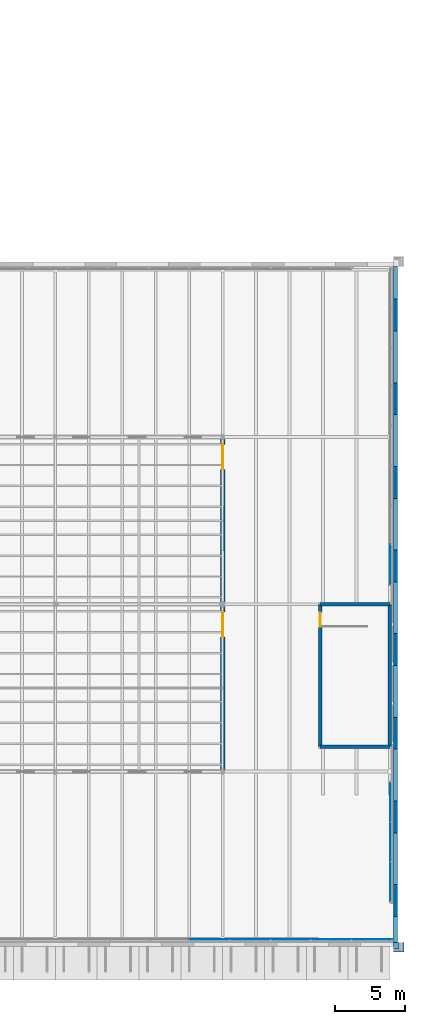
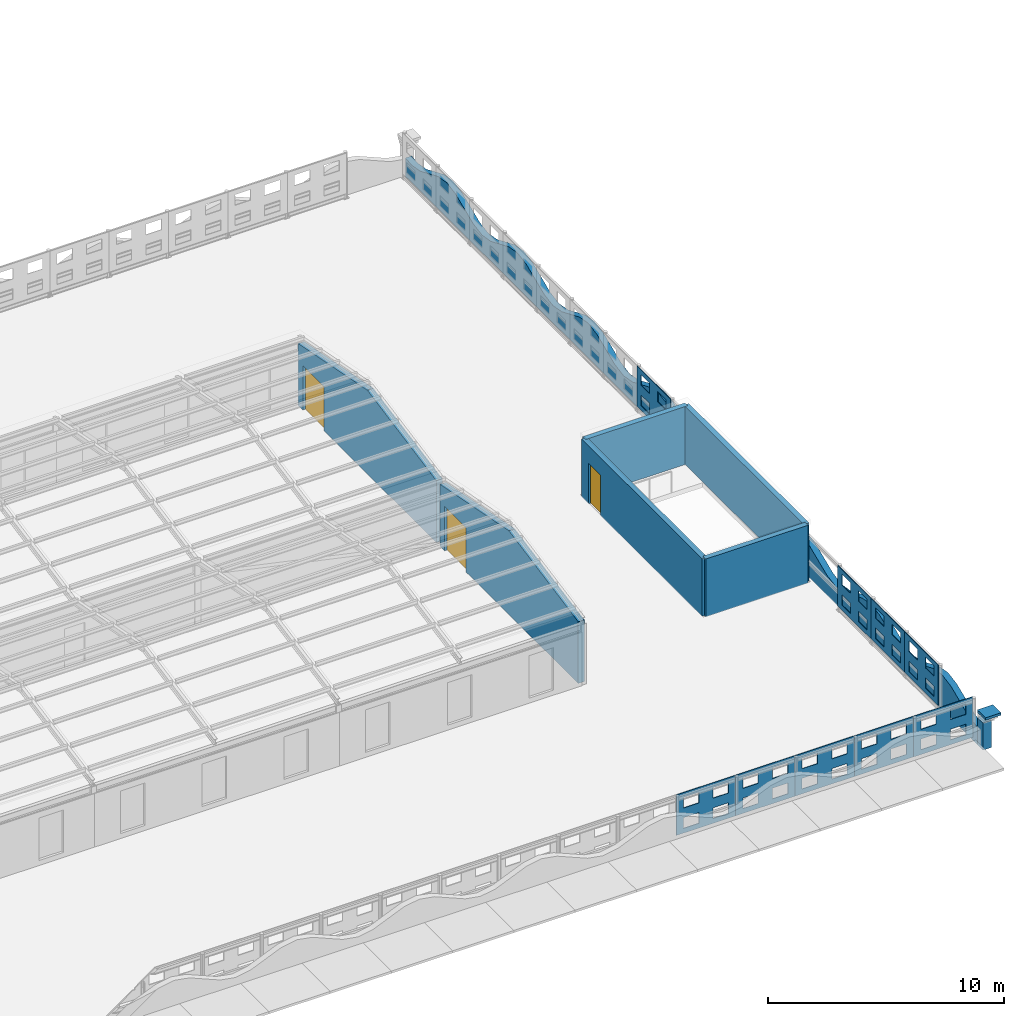
# One storey, part 63 of 91: 18 walls, 3 doors, 39 openings.
"""IFC4 building model written with IfcOpenShell, lengths in metres."""

from ifc_helpers import new_model, si_unit, direction, frame, frame_2d, origin, place, context, subcontext, project, spatial, polyline, rectangle, outline, extrude, material, layer, layer_set, type_object, element, fill, save


model = new_model("IFC4")

# Units and contexts
model_context = context("Model", 3, precision=1e-05, world=origin(), true_north=direction((0.0, 1.0)))
body_context = subcontext(model_context, "Body", "Model", "MODEL_VIEW")
ifc_project = project(units=[si_unit("LENGTHUNIT", "METRE"), si_unit("AREAUNIT", "SQUARE_METRE"), si_unit("VOLUMEUNIT", "CUBIC_METRE"), si_unit("PLANEANGLEUNIT", "RADIAN"), si_unit("MASSUNIT", "GRAM", prefix="KILO")], contexts=[model_context])

# Site, building, storey
site_placement = place(None, origin())
site = spatial("IfcSite", under=ifc_project, at=site_placement, CompositionType="ELEMENT")
building_placement = place(site_placement, origin())
building = spatial("IfcBuilding", under=site, at=building_placement, Name="Ravi Spectrum Wholesale Market", CompositionType="ELEMENT")
storey_placement = place(building_placement, frame((0.0, 0.0, 16.199951171875)))
storey = spatial("IfcBuildingStorey", under=building, at=storey_placement, Name="ROOF PLANT LEVEL", CompositionType="ELEMENT", Elevation=16.199951171875)

# Wall, opening, door
ifc_material_1 = material(Name="Clinker brickwork", Category="masonry")
ifc_layer_1 = layer(ifc_material_1, 0.300048828125)
ifc_layer_set_1 = layer_set([ifc_layer_1], Name="Clinker brickwork")
wall_type_1 = type_object("IfcWallType", Name="Brick 300 plant house", PredefinedType="SOLIDWALL", material=ifc_layer_set_1)
wall_1_placement = place(storey_placement, frame((270.0, 30.1201171875, 0.0), z_axis=(0.0, 0.0, 1.0), x_axis=(0.0, 1.0, 0.0)))
wall_1 = element("IfcWall", 1, at=wall_1_placement, inside=storey, type_object=wall_type_1, Name="CS-WL-ROOF-124", PredefinedType="SOLIDWALL", context=body_context, shape_type="SweptSolid", body=[
    extrude(outline(polyline([(0.0, 0.0), (11.72998046875, 0.0), (11.72998046875, 3.201416015625), (5.8798828125, 4.33837890625), (0.0, 3.195556640625), (0.0, 0.0)])), frame((0.0, 0.14990234375, 0.0), z_axis=(0.0, -1.0, 0.0), x_axis=(1.0, 0.0, 0.0)), (0.0, 0.0, 1.0), 0.300048828125),
])
opening_1_placement = place(wall_1_placement, frame((11.330078125, 0.0, 0.0), z_axis=(0.0, 0.0, 1.0), x_axis=(-1.0, 0.0, 0.0)))
opening_1 = element("IfcOpeningElement", 2, at=opening_1_placement, cuts=wall_1, Name="Opening D550", PredefinedType="OPENING", context=body_context, shape_type="SweptSolid", body=[
    extrude(rectangle(XDim=1.800048828125, YDim=2.300048828125, at=frame_2d((0.89990234375, 1.14990234375))), frame((0.0, 0.159912109375, 0.0), z_axis=(0.0, -1.0, 0.0), x_axis=(1.0, 0.0, 0.0)), (0.0, 0.0, 1.0), 0.320068359375),
])
ifc_material_2 = material(Name="Aluminium glazed door", Category="aluminium")
door_type_1 = type_object("IfcDoorType", Name="Deck door 1800 x 2300", OperationType="DOUBLE_DOOR_SINGLE_SWING", PredefinedType="DOOR", material=ifc_material_2)
door_1_placement = place(opening_1_placement, origin())
door_1 = element("IfcDoor", 3, at=door_1_placement, inside=storey, type_object=door_type_1, Name="Exit door E1", OperationType="DOUBLE_DOOR_SINGLE_SWING", OverallHeight=2.300048828125, OverallWidth=1.800048828125, PredefinedType="DOOR", context=body_context, shape_type="SweptSolid", body=[
    extrude(rectangle(XDim=1.800048828125, YDim=2.300048828125, at=frame_2d((0.89990234375, 1.14990234375))), frame((0.0, 0.02490234375, 0.0), z_axis=(0.0, -1.0, 0.0), x_axis=(1.0, 0.0, 0.0)), (0.0, 0.0, 1.0), 0.050048828125),
])
fill(opening_1, door_1)

wall_2_placement = place(storey_placement, frame((270.0, 42.14990234375, 0.0), z_axis=(0.0, 0.0, 1.0), x_axis=(0.0, 1.0, 0.0)))
wall_2 = element("IfcWall", 4, at=wall_2_placement, inside=storey, type_object=wall_type_1, Name="CS-WL-ROOF-125", PredefinedType="SOLIDWALL", context=body_context, shape_type="SweptSolid", body=[
    extrude(outline(polyline([(0.0, 0.0), (11.72998046875, 0.0), (11.72998046875, 3.195556640625), (5.85009765625, 4.33837890625), (0.0, 3.201416015625), (0.0, 0.0)])), frame((0.0, 0.14990234375, 0.0), z_axis=(0.0, -1.0, 0.0), x_axis=(1.0, 0.0, 0.0)), (0.0, 0.0, 1.0), 0.300048828125),
])
opening_2_placement = place(wall_2_placement, frame((11.330078125, 0.0, 0.0), z_axis=(0.0, 0.0, 1.0), x_axis=(-1.0, 0.0, 0.0)))
opening_2 = element("IfcOpeningElement", 5, at=opening_2_placement, cuts=wall_2, Name="Opening D551", PredefinedType="OPENING", context=body_context, shape_type="SweptSolid", body=[
    extrude(rectangle(XDim=1.800048828125, YDim=2.300048828125, at=frame_2d((0.89990234375, 1.14990234375))), frame((0.0, 0.159912109375, 0.0), z_axis=(0.0, -1.0, 0.0), x_axis=(1.0, 0.0, 0.0)), (0.0, 0.0, 1.0), 0.320068359375),
])
door_2_placement = place(opening_2_placement, origin())
door_2 = element("IfcDoor", 6, at=door_2_placement, inside=storey, type_object=door_type_1, Name="Exit door E2", OperationType="DOUBLE_DOOR_SINGLE_SWING", OverallHeight=2.300048828125, OverallWidth=1.800048828125, PredefinedType="DOOR", context=body_context, shape_type="SweptSolid", body=[
    extrude(rectangle(XDim=1.800048828125, YDim=2.300048828125, at=frame_2d((0.89990234375, 1.14990234375))), frame((0.0, 0.02490234375, 0.0), z_axis=(0.0, -1.0, 0.0), x_axis=(1.0, 0.0, 0.0)), (0.0, 0.0, 1.0), 0.050048828125),
])
fill(opening_2, door_2)

# Walls
ifc_material_3 = material(Name="Clinker brickwork", Category="masonry")
ifc_layer_2 = layer(ifc_material_3, 0.695068359375)
ifc_layer_set_2 = layer_set([ifc_layer_2], Name="Clinker brickwork")
wall_type_2 = type_object("IfcWallType", Name="Brick corbel 695", PredefinedType="SOLIDWALL", material=ifc_layer_set_2)
wall_3_placement = place(storey_placement, frame((282.25, 17.402587890625, 1.670166015625), z_axis=(0.0, 0.0, 1.0), x_axis=(1.0, 0.0, 0.0)))
element("IfcWall", 7, at=wall_3_placement, inside=storey, type_object=wall_type_2, Name="CS-WL-ROOF-012", PredefinedType="SOLIDWALL", context=body_context, shape_type="SweptSolid", body=[
    extrude(rectangle(XDim=0.760009765625, YDim=0.695068359375, at=frame_2d((0.3798828125, 0.0))), origin(), (0.0, 0.0, 1.0), 0.1298828125),
])
ifc_material_4 = material(Name="Facing brickwork", Category="masonry")
ifc_layer_3 = layer(ifc_material_4, 0.300048828125)
ifc_layer_set_3 = layer_set([ifc_layer_3], Name="Facing brickwork")
wall_type_3 = type_object("IfcWallType", Name="Brick parapet 300", PredefinedType="PARAPET", material=ifc_layer_set_3)
wall_4_placement = place(storey_placement, frame((282.39990234375, 17.75, 0.0), z_axis=(0.0, 0.0, 1.0), x_axis=(0.0, 1.0, 0.0)))
element("IfcWall", 8, at=wall_4_placement, inside=storey, type_object=wall_type_3, Name="CS-WL-ROOF-002", PredefinedType="PARAPET", context=body_context, shape_type="SweptSolid", body=[
    extrude(outline(polyline([(0.0, 0.0), (48.5, 0.0), (48.5, 0.96044921875), (48.0, 0.900146484375), (47.25, 1.03173828125), (46.5, 1.35009765625), (45.75, 1.668212890625), (45.0, 1.800048828125), (44.25, 1.668212890625), (43.5, 1.35009765625), (42.75, 1.03173828125), (42.0, 0.900146484375), (41.25, 1.03173828125), (40.5, 1.35009765625), (39.75, 1.668212890625), (39.0, 1.800048828125), (38.25, 1.668212890625), (37.5, 1.35009765625), (36.75, 1.03173828125), (36.0, 0.900146484375), (35.25, 1.03173828125), (34.5, 1.35009765625), (33.75, 1.668212890625), (33.0, 1.800048828125), (32.25, 1.668212890625), (31.5, 1.35009765625), (30.75, 1.03173828125), (30.0, 0.900146484375), (29.25, 1.03173828125), (28.5, 1.35009765625), (27.75, 1.668212890625), (27.0, 1.800048828125), (26.25, 1.668212890625), (25.5, 1.35009765625), (24.75, 1.03173828125), (24.0, 0.900146484375), (23.25, 1.03173828125), (22.5, 1.35009765625), (21.75, 1.668212890625), (21.0, 1.800048828125), (20.25, 1.668212890625), (19.5, 1.35009765625), (18.75, 1.03173828125), (18.0, 0.900146484375), (17.25, 1.03173828125), (16.5, 1.35009765625), (15.75, 1.668212890625), (15.0, 1.800048828125), (14.25, 1.668212890625), (13.5, 1.35009765625), (12.75, 1.03173828125), (12.0, 0.900146484375), (11.25, 1.03173828125), (10.5, 1.35009765625), (9.75, 1.668212890625), (9.0, 1.800048828125), (8.25, 1.668212890625), (7.5, 1.35009765625), (6.75, 1.03173828125), (6.0, 0.900146484375), (5.25, 1.03173828125), (4.5, 1.35009765625), (3.75, 1.668212890625), (3.0, 1.800048828125), (2.25, 1.668212890625), (1.5, 1.35009765625), (0.75, 1.03173828125), (0.0, 0.900146484375), (0.0, 0.0)])), frame((0.0, 0.14990234375, 0.0), z_axis=(0.0, -1.0, 0.0), x_axis=(1.0, 0.0, 0.0)), (0.0, 0.0, 1.0), 0.300048828125),
])
ifc_material_5 = material(Name="Clinker brickwork", Category="masonry")
ifc_layer_4 = layer(ifc_material_5, 0.485107421875)
ifc_layer_set_4 = layer_set([ifc_layer_4], Name="Clinker brickwork")
wall_type_4 = type_object("IfcWallType", Name="Brick pier 485", PredefinedType="SOLIDWALL", material=ifc_layer_set_4)
wall_5_placement = place(storey_placement, frame((282.25, 17.507568359375, 0.0), z_axis=(0.0, 0.0, 1.0), x_axis=(1.0, 0.0, 0.0)))
element("IfcWall", 9, at=wall_5_placement, inside=storey, type_object=wall_type_4, Name="CS-WL-ROOF-009", PredefinedType="SOLIDWALL", context=body_context, shape_type="SweptSolid", body=[
    extrude(rectangle(XDim=0.4150390625, YDim=0.485107421875, at=frame_2d((0.20751953125, 0.0))), origin(), (0.0, 0.0, 1.0), 1.41015625),
])
ifc_material_6 = material(Name="Concrete C35/45", Category="concrete")
ifc_layer_5 = layer(ifc_material_6, 0.25)
ifc_layer_set_5 = layer_set([ifc_layer_5], Name="Concrete C35/45")
wall_type_5 = type_object("IfcWallType", Name="Concrete core wall 250", PredefinedType="SHEAR", material=ifc_layer_set_5)
wall_6_placement = place(storey_placement, frame((277.0, 31.800048828125, 0.0), z_axis=(0.0, 0.0, 1.0), x_axis=(1.0, 0.0, 0.0)))
element("IfcWall", 10, at=wall_6_placement, inside=storey, type_object=wall_type_5, Name="Stair head house wall Stair S-CS-2", PredefinedType="SHEAR", context=body_context, shape_type="SweptSolid", body=[
    extrude(rectangle(XDim=5.0, YDim=0.25, at=frame_2d((2.5, 0.0))), origin(), (0.0, 0.0, 1.0), 3.0),
])
wall_7_placement = place(storey_placement, frame((282.0, 31.800048828125, 0.0), z_axis=(0.0, 0.0, 1.0), x_axis=(0.0, 1.0, 0.0)))
element("IfcWall", 11, at=wall_7_placement, inside=storey, type_object=wall_type_5, Name="Stair head house wall Stair S-CS-2", PredefinedType="SHEAR", context=body_context, shape_type="SweptSolid", body=[
    extrude(rectangle(XDim=10.199951171875, YDim=0.25, at=frame_2d((5.10009765625, 0.0))), origin(), (0.0, 0.0, 1.0), 3.0),
])
wall_8_placement = place(storey_placement, frame((277.0, 42.0, 0.0), z_axis=(0.0, 0.0, 1.0), x_axis=(1.0, 0.0, 0.0)))
element("IfcWall", 12, at=wall_8_placement, inside=storey, type_object=wall_type_5, Name="Stair head house wall Stair S-CS-2", PredefinedType="SHEAR", context=body_context, shape_type="SweptSolid", body=[
    extrude(rectangle(XDim=5.0, YDim=0.25, at=frame_2d((2.5, 0.0))), origin(), (0.0, 0.0, 1.0), 3.0),
])

# Wall, opening, door
wall_9_placement = place(storey_placement, frame((277.0, 31.800048828125, 0.0), z_axis=(0.0, 0.0, 1.0), x_axis=(0.0, 1.0, 0.0)))
wall_9 = element("IfcWall", 13, at=wall_9_placement, inside=storey, type_object=wall_type_5, Name="Stair head house wall Stair S-CS-2", PredefinedType="SHEAR", context=body_context, shape_type="SweptSolid", body=[
    extrude(rectangle(XDim=10.199951171875, YDim=0.25, at=frame_2d((5.10009765625, 0.0))), origin(), (0.0, 0.0, 1.0), 3.0),
])
opening_3_placement = place(wall_9_placement, frame((8.60009765625, 0.0, 0.0)))
opening_3 = element("IfcOpeningElement", 14, at=opening_3_placement, cuts=wall_9, Name="Opening D556", PredefinedType="OPENING", context=body_context, shape_type="SweptSolid", body=[
    extrude(rectangle(XDim=1.0, YDim=2.10009765625, at=frame_2d((0.5, 1.050048828125))), frame((0.0, 0.135009765625, 0.0), z_axis=(0.0, -1.0, 0.0), x_axis=(1.0, 0.0, 0.0)), (0.0, 0.0, 1.0), 0.27001953125),
])
ifc_material_7 = material(Name="Steel door", Category="steel")
door_type_2 = type_object("IfcDoorType", Name="Stair door 1000 x 2100", OperationType="SINGLE_SWING_LEFT", PredefinedType="DOOR", material=ifc_material_7)
door_3_placement = place(opening_3_placement, origin())
door_3 = element("IfcDoor", 15, at=door_3_placement, inside=storey, type_object=door_type_2, Name="Stair door S-CS-2 to roof deck", OperationType="SINGLE_SWING_RIGHT", OverallHeight=2.10009765625, OverallWidth=1.0, PredefinedType="DOOR", context=body_context, shape_type="SweptSolid", body=[
    extrude(rectangle(XDim=1.0, YDim=2.10009765625, at=frame_2d((0.5, 1.050048828125))), frame((0.0, 0.02490234375, 0.0), z_axis=(0.0, -1.0, 0.0), x_axis=(1.0, 0.0, 0.0)), (0.0, 0.0, 1.0), 0.050048828125),
])
fill(opening_3, door_3)

# Wall, openings
ifc_material_8 = material(Name="Aluminium perforated plate", Category="aluminium")
ifc_layer_6 = layer(ifc_material_8, 0.030029296875)
ifc_layer_set_6 = layer_set([ifc_layer_6], Name="Aluminium perforated plate")
wall_type_6 = type_object("IfcWallType", Name="Perforated screen panel 30", PredefinedType="SOLIDWALL", material=ifc_layer_set_6)
wall_10_placement = place(storey_placement, frame((267.615478515625, 17.94921875, 0.300048828125), z_axis=(0.0, 0.0, 1.0), x_axis=(1.0, 0.0, 0.0)))
wall_10 = element("IfcWall", 16, at=wall_10_placement, inside=storey, type_object=wall_type_6, Name="CS-WL-ROOF-045", PredefinedType="SOLIDWALL", context=body_context, shape_type="SweptSolid", body=[
    extrude(rectangle(XDim=2.906982421875, YDim=0.030029296875, at=frame_2d((1.45361328125, 0.0))), origin(), (0.0, 0.0, 1.0), 2.10009765625),
])
opening_4_placement = place(wall_10_placement, frame((0.35009765625, 0.0, 0.25)))
element("IfcOpeningElement", 17, at=opening_4_placement, cuts=wall_10, Name="Opening CS-OP-ROOF-097", PredefinedType="OPENING", context=body_context, shape_type="SweptSolid", body=[
    extrude(rectangle(XDim=0.75341796875, YDim=0.550048828125, at=frame_2d((0.376708984375, 0.27490234375))), frame((0.0, 0.02490234375, 0.0), z_axis=(0.0, -1.0, 0.0), x_axis=(1.0, 0.0, 0.0)), (0.0, 0.0, 1.0), 0.050048828125),
])
opening_5_placement = place(wall_10_placement, frame((0.35009765625, 0.0, 1.300048828125)))
element("IfcOpeningElement", 18, at=opening_5_placement, cuts=wall_10, Name="Opening CS-OP-ROOF-098", PredefinedType="OPENING", context=body_context, shape_type="SweptSolid", body=[
    extrude(rectangle(XDim=0.75341796875, YDim=0.550048828125, at=frame_2d((0.376708984375, 0.27490234375))), frame((0.0, 0.02490234375, 0.0), z_axis=(0.0, -1.0, 0.0), x_axis=(1.0, 0.0, 0.0)), (0.0, 0.0, 1.0), 0.050048828125),
])
opening_6_placement = place(wall_10_placement, frame((1.803466796875, 0.0, 0.25)))
element("IfcOpeningElement", 19, at=opening_6_placement, cuts=wall_10, Name="Opening CS-OP-ROOF-099", PredefinedType="OPENING", context=body_context, shape_type="SweptSolid", body=[
    extrude(rectangle(XDim=0.75341796875, YDim=0.550048828125, at=frame_2d((0.376708984375, 0.27490234375))), frame((0.0, 0.02490234375, 0.0), z_axis=(0.0, -1.0, 0.0), x_axis=(1.0, 0.0, 0.0)), (0.0, 0.0, 1.0), 0.050048828125),
])
opening_7_placement = place(wall_10_placement, frame((1.803466796875, 0.0, 1.300048828125)))
element("IfcOpeningElement", 20, at=opening_7_placement, cuts=wall_10, Name="Opening CS-OP-ROOF-100", PredefinedType="OPENING", context=body_context, shape_type="SweptSolid", body=[
    extrude(rectangle(XDim=0.75341796875, YDim=0.550048828125, at=frame_2d((0.376708984375, 0.27490234375))), frame((0.0, 0.02490234375, 0.0), z_axis=(0.0, -1.0, 0.0), x_axis=(1.0, 0.0, 0.0)), (0.0, 0.0, 1.0), 0.050048828125),
])

wall_11_placement = place(storey_placement, frame((270.5224609375, 17.94921875, 0.300048828125), z_axis=(0.0, 0.0, 1.0), x_axis=(1.0, 0.0, 0.0)))
wall_11 = element("IfcWall", 21, at=wall_11_placement, inside=storey, type_object=wall_type_6, Name="CS-WL-ROOF-046", PredefinedType="SOLIDWALL", context=body_context, shape_type="SweptSolid", body=[
    extrude(rectangle(XDim=2.90673828125, YDim=0.030029296875, at=frame_2d((1.453369140625, 0.0))), origin(), (0.0, 0.0, 1.0), 2.10009765625),
])
opening_8_placement = place(wall_11_placement, frame((0.35009765625, 0.0, 0.25)))
element("IfcOpeningElement", 22, at=opening_8_placement, cuts=wall_11, Name="Opening CS-OP-ROOF-101", PredefinedType="OPENING", context=body_context, shape_type="SweptSolid", body=[
    extrude(rectangle(XDim=0.75341796875, YDim=0.550048828125, at=frame_2d((0.376708984375, 0.27490234375))), frame((0.0, 0.02490234375, 0.0), z_axis=(0.0, -1.0, 0.0), x_axis=(1.0, 0.0, 0.0)), (0.0, 0.0, 1.0), 0.050048828125),
])
opening_9_placement = place(wall_11_placement, frame((0.35009765625, 0.0, 1.300048828125)))
element("IfcOpeningElement", 23, at=opening_9_placement, cuts=wall_11, Name="Opening CS-OP-ROOF-102", PredefinedType="OPENING", context=body_context, shape_type="SweptSolid", body=[
    extrude(rectangle(XDim=0.75341796875, YDim=0.550048828125, at=frame_2d((0.376708984375, 0.27490234375))), frame((0.0, 0.02490234375, 0.0), z_axis=(0.0, -1.0, 0.0), x_axis=(1.0, 0.0, 0.0)), (0.0, 0.0, 1.0), 0.050048828125),
])
opening_10_placement = place(wall_11_placement, frame((1.803466796875, 0.0, 0.25)))
element("IfcOpeningElement", 24, at=opening_10_placement, cuts=wall_11, Name="Opening CS-OP-ROOF-103", PredefinedType="OPENING", context=body_context, shape_type="SweptSolid", body=[
    extrude(rectangle(XDim=0.75341796875, YDim=0.550048828125, at=frame_2d((0.376708984375, 0.27490234375))), frame((0.0, 0.02490234375, 0.0), z_axis=(0.0, -1.0, 0.0), x_axis=(1.0, 0.0, 0.0)), (0.0, 0.0, 1.0), 0.050048828125),
])
opening_11_placement = place(wall_11_placement, frame((1.803466796875, 0.0, 1.300048828125)))
element("IfcOpeningElement", 25, at=opening_11_placement, cuts=wall_11, Name="Opening CS-OP-ROOF-104", PredefinedType="OPENING", context=body_context, shape_type="SweptSolid", body=[
    extrude(rectangle(XDim=0.75341796875, YDim=0.550048828125, at=frame_2d((0.376708984375, 0.27490234375))), frame((0.0, 0.02490234375, 0.0), z_axis=(0.0, -1.0, 0.0), x_axis=(1.0, 0.0, 0.0)), (0.0, 0.0, 1.0), 0.050048828125),
])

wall_12_placement = place(storey_placement, frame((273.42919921875, 17.94921875, 0.300048828125), z_axis=(0.0, 0.0, 1.0), x_axis=(1.0, 0.0, 0.0)))
wall_12 = element("IfcWall", 26, at=wall_12_placement, inside=storey, type_object=wall_type_6, Name="CS-WL-ROOF-047", PredefinedType="SOLIDWALL", context=body_context, shape_type="SweptSolid", body=[
    extrude(rectangle(XDim=2.906982421875, YDim=0.030029296875, at=frame_2d((1.45361328125, 0.0))), origin(), (0.0, 0.0, 1.0), 2.10009765625),
])
opening_12_placement = place(wall_12_placement, frame((0.35009765625, 0.0, 0.25)))
element("IfcOpeningElement", 27, at=opening_12_placement, cuts=wall_12, Name="Opening CS-OP-ROOF-105", PredefinedType="OPENING", context=body_context, shape_type="SweptSolid", body=[
    extrude(rectangle(XDim=0.75341796875, YDim=0.550048828125, at=frame_2d((0.376708984375, 0.27490234375))), frame((0.0, 0.02490234375, 0.0), z_axis=(0.0, -1.0, 0.0), x_axis=(1.0, 0.0, 0.0)), (0.0, 0.0, 1.0), 0.050048828125),
])
opening_13_placement = place(wall_12_placement, frame((0.35009765625, 0.0, 1.300048828125)))
element("IfcOpeningElement", 28, at=opening_13_placement, cuts=wall_12, Name="Opening CS-OP-ROOF-106", PredefinedType="OPENING", context=body_context, shape_type="SweptSolid", body=[
    extrude(rectangle(XDim=0.75341796875, YDim=0.550048828125, at=frame_2d((0.376708984375, 0.27490234375))), frame((0.0, 0.02490234375, 0.0), z_axis=(0.0, -1.0, 0.0), x_axis=(1.0, 0.0, 0.0)), (0.0, 0.0, 1.0), 0.050048828125),
])
opening_14_placement = place(wall_12_placement, frame((1.803466796875, 0.0, 0.25)))
element("IfcOpeningElement", 29, at=opening_14_placement, cuts=wall_12, Name="Opening CS-OP-ROOF-107", PredefinedType="OPENING", context=body_context, shape_type="SweptSolid", body=[
    extrude(rectangle(XDim=0.75341796875, YDim=0.550048828125, at=frame_2d((0.376708984375, 0.27490234375))), frame((0.0, 0.02490234375, 0.0), z_axis=(0.0, -1.0, 0.0), x_axis=(1.0, 0.0, 0.0)), (0.0, 0.0, 1.0), 0.050048828125),
])
opening_15_placement = place(wall_12_placement, frame((1.803466796875, 0.0, 1.300048828125)))
element("IfcOpeningElement", 30, at=opening_15_placement, cuts=wall_12, Name="Opening CS-OP-ROOF-108", PredefinedType="OPENING", context=body_context, shape_type="SweptSolid", body=[
    extrude(rectangle(XDim=0.75341796875, YDim=0.550048828125, at=frame_2d((0.376708984375, 0.27490234375))), frame((0.0, 0.02490234375, 0.0), z_axis=(0.0, -1.0, 0.0), x_axis=(1.0, 0.0, 0.0)), (0.0, 0.0, 1.0), 0.050048828125),
])

wall_13_placement = place(storey_placement, frame((276.336181640625, 17.94921875, 0.300048828125), z_axis=(0.0, 0.0, 1.0), x_axis=(1.0, 0.0, 0.0)))
wall_13 = element("IfcWall", 31, at=wall_13_placement, inside=storey, type_object=wall_type_6, Name="CS-WL-ROOF-048", PredefinedType="SOLIDWALL", context=body_context, shape_type="SweptSolid", body=[
    extrude(rectangle(XDim=2.906982421875, YDim=0.030029296875, at=frame_2d((1.45361328125, 0.0))), origin(), (0.0, 0.0, 1.0), 2.10009765625),
])
opening_16_placement = place(wall_13_placement, frame((0.35009765625, 0.0, 0.25)))
element("IfcOpeningElement", 32, at=opening_16_placement, cuts=wall_13, Name="Opening CS-OP-ROOF-109", PredefinedType="OPENING", context=body_context, shape_type="SweptSolid", body=[
    extrude(rectangle(XDim=0.75341796875, YDim=0.550048828125, at=frame_2d((0.376708984375, 0.27490234375))), frame((0.0, 0.02490234375, 0.0), z_axis=(0.0, -1.0, 0.0), x_axis=(1.0, 0.0, 0.0)), (0.0, 0.0, 1.0), 0.050048828125),
])
opening_17_placement = place(wall_13_placement, frame((0.35009765625, 0.0, 1.300048828125)))
element("IfcOpeningElement", 33, at=opening_17_placement, cuts=wall_13, Name="Opening CS-OP-ROOF-110", PredefinedType="OPENING", context=body_context, shape_type="SweptSolid", body=[
    extrude(rectangle(XDim=0.75341796875, YDim=0.550048828125, at=frame_2d((0.376708984375, 0.27490234375))), frame((0.0, 0.02490234375, 0.0), z_axis=(0.0, -1.0, 0.0), x_axis=(1.0, 0.0, 0.0)), (0.0, 0.0, 1.0), 0.050048828125),
])
opening_18_placement = place(wall_13_placement, frame((1.803466796875, 0.0, 0.25)))
element("IfcOpeningElement", 34, at=opening_18_placement, cuts=wall_13, Name="Opening CS-OP-ROOF-111", PredefinedType="OPENING", context=body_context, shape_type="SweptSolid", body=[
    extrude(rectangle(XDim=0.75341796875, YDim=0.550048828125, at=frame_2d((0.376708984375, 0.27490234375))), frame((0.0, 0.02490234375, 0.0), z_axis=(0.0, -1.0, 0.0), x_axis=(1.0, 0.0, 0.0)), (0.0, 0.0, 1.0), 0.050048828125),
])
opening_19_placement = place(wall_13_placement, frame((1.803466796875, 0.0, 1.300048828125)))
element("IfcOpeningElement", 35, at=opening_19_placement, cuts=wall_13, Name="Opening CS-OP-ROOF-112", PredefinedType="OPENING", context=body_context, shape_type="SweptSolid", body=[
    extrude(rectangle(XDim=0.75341796875, YDim=0.550048828125, at=frame_2d((0.376708984375, 0.27490234375))), frame((0.0, 0.02490234375, 0.0), z_axis=(0.0, -1.0, 0.0), x_axis=(1.0, 0.0, 0.0)), (0.0, 0.0, 1.0), 0.050048828125),
])

wall_14_placement = place(storey_placement, frame((279.2431640625, 17.94921875, 0.300048828125), z_axis=(0.0, 0.0, 1.0), x_axis=(1.0, 0.0, 0.0)))
wall_14 = element("IfcWall", 36, at=wall_14_placement, inside=storey, type_object=wall_type_6, Name="CS-WL-ROOF-049", PredefinedType="SOLIDWALL", context=body_context, shape_type="SweptSolid", body=[
    extrude(rectangle(XDim=2.90673828125, YDim=0.030029296875, at=frame_2d((1.453369140625, 0.0))), origin(), (0.0, 0.0, 1.0), 2.10009765625),
])
opening_20_placement = place(wall_14_placement, frame((0.35009765625, 0.0, 0.25)))
element("IfcOpeningElement", 37, at=opening_20_placement, cuts=wall_14, Name="Opening CS-OP-ROOF-113", PredefinedType="OPENING", context=body_context, shape_type="SweptSolid", body=[
    extrude(rectangle(XDim=0.75341796875, YDim=0.550048828125, at=frame_2d((0.376708984375, 0.27490234375))), frame((0.0, 0.02490234375, 0.0), z_axis=(0.0, -1.0, 0.0), x_axis=(1.0, 0.0, 0.0)), (0.0, 0.0, 1.0), 0.050048828125),
])
opening_21_placement = place(wall_14_placement, frame((0.35009765625, 0.0, 1.300048828125)))
element("IfcOpeningElement", 38, at=opening_21_placement, cuts=wall_14, Name="Opening CS-OP-ROOF-114", PredefinedType="OPENING", context=body_context, shape_type="SweptSolid", body=[
    extrude(rectangle(XDim=0.75341796875, YDim=0.550048828125, at=frame_2d((0.376708984375, 0.27490234375))), frame((0.0, 0.02490234375, 0.0), z_axis=(0.0, -1.0, 0.0), x_axis=(1.0, 0.0, 0.0)), (0.0, 0.0, 1.0), 0.050048828125),
])
opening_22_placement = place(wall_14_placement, frame((1.803466796875, 0.0, 0.25)))
element("IfcOpeningElement", 39, at=opening_22_placement, cuts=wall_14, Name="Opening CS-OP-ROOF-115", PredefinedType="OPENING", context=body_context, shape_type="SweptSolid", body=[
    extrude(rectangle(XDim=0.75341796875, YDim=0.550048828125, at=frame_2d((0.376708984375, 0.27490234375))), frame((0.0, 0.02490234375, 0.0), z_axis=(0.0, -1.0, 0.0), x_axis=(1.0, 0.0, 0.0)), (0.0, 0.0, 1.0), 0.050048828125),
])
opening_23_placement = place(wall_14_placement, frame((1.803466796875, 0.0, 1.300048828125)))
element("IfcOpeningElement", 40, at=opening_23_placement, cuts=wall_14, Name="Opening CS-OP-ROOF-116", PredefinedType="OPENING", context=body_context, shape_type="SweptSolid", body=[
    extrude(rectangle(XDim=0.75341796875, YDim=0.550048828125, at=frame_2d((0.376708984375, 0.27490234375))), frame((0.0, 0.02490234375, 0.0), z_axis=(0.0, -1.0, 0.0), x_axis=(1.0, 0.0, 0.0)), (0.0, 0.0, 1.0), 0.050048828125),
])

wall_15_placement = place(storey_placement, frame((282.05078125, 20.691162109375, 0.300048828125), z_axis=(0.0, 0.0, 1.0), x_axis=(0.0, 1.0, 0.0)))
wall_15 = element("IfcWall", 41, at=wall_15_placement, inside=storey, type_object=wall_type_6, Name="CS-WL-ROOF-050", PredefinedType="SOLIDWALL", context=body_context, shape_type="SweptSolid", body=[
    extrude(rectangle(XDim=2.84130859375, YDim=0.030029296875, at=frame_2d((1.420654296875, 0.0))), origin(), (0.0, 0.0, 1.0), 2.10009765625),
])
opening_24_placement = place(wall_15_placement, frame((0.35009765625, 0.0, 0.25)))
element("IfcOpeningElement", 42, at=opening_24_placement, cuts=wall_15, Name="Opening CS-OP-ROOF-117", PredefinedType="OPENING", context=body_context, shape_type="SweptSolid", body=[
    extrude(rectangle(XDim=0.720703125, YDim=0.550048828125, at=frame_2d((0.3603515625, 0.27490234375))), frame((0.0, 0.02490234375, 0.0), z_axis=(0.0, -1.0, 0.0), x_axis=(1.0, 0.0, 0.0)), (0.0, 0.0, 1.0), 0.050048828125),
])
opening_25_placement = place(wall_15_placement, frame((0.35009765625, 0.0, 1.300048828125)))
element("IfcOpeningElement", 43, at=opening_25_placement, cuts=wall_15, Name="Opening CS-OP-ROOF-118", PredefinedType="OPENING", context=body_context, shape_type="SweptSolid", body=[
    extrude(rectangle(XDim=0.720703125, YDim=0.550048828125, at=frame_2d((0.3603515625, 0.27490234375))), frame((0.0, 0.02490234375, 0.0), z_axis=(0.0, -1.0, 0.0), x_axis=(1.0, 0.0, 0.0)), (0.0, 0.0, 1.0), 0.050048828125),
])
opening_26_placement = place(wall_15_placement, frame((1.7705078125, 0.0, 0.25)))
element("IfcOpeningElement", 44, at=opening_26_placement, cuts=wall_15, Name="Opening CS-OP-ROOF-119", PredefinedType="OPENING", context=body_context, shape_type="SweptSolid", body=[
    extrude(rectangle(XDim=0.720703125, YDim=0.550048828125, at=frame_2d((0.3603515625, 0.27490234375))), frame((0.0, 0.02490234375, 0.0), z_axis=(0.0, -1.0, 0.0), x_axis=(1.0, 0.0, 0.0)), (0.0, 0.0, 1.0), 0.050048828125),
])
opening_27_placement = place(wall_15_placement, frame((1.7705078125, 0.0, 1.300048828125)))
element("IfcOpeningElement", 45, at=opening_27_placement, cuts=wall_15, Name="Opening CS-OP-ROOF-120", PredefinedType="OPENING", context=body_context, shape_type="SweptSolid", body=[
    extrude(rectangle(XDim=0.720703125, YDim=0.550048828125, at=frame_2d((0.3603515625, 0.27490234375))), frame((0.0, 0.02490234375, 0.0), z_axis=(0.0, -1.0, 0.0), x_axis=(1.0, 0.0, 0.0)), (0.0, 0.0, 1.0), 0.050048828125),
])

wall_16_placement = place(storey_placement, frame((282.05078125, 23.532470703125, 0.300048828125), z_axis=(0.0, 0.0, 1.0), x_axis=(0.0, 1.0, 0.0)))
wall_16 = element("IfcWall", 46, at=wall_16_placement, inside=storey, type_object=wall_type_6, Name="CS-WL-ROOF-051", PredefinedType="SOLIDWALL", context=body_context, shape_type="SweptSolid", body=[
    extrude(rectangle(XDim=2.841064453125, YDim=0.030029296875, at=frame_2d((1.42041015625, 0.0))), origin(), (0.0, 0.0, 1.0), 2.10009765625),
])
opening_28_placement = place(wall_16_placement, frame((0.35009765625, 0.0, 0.25)))
element("IfcOpeningElement", 47, at=opening_28_placement, cuts=wall_16, Name="Opening CS-OP-ROOF-121", PredefinedType="OPENING", context=body_context, shape_type="SweptSolid", body=[
    extrude(rectangle(XDim=0.720703125, YDim=0.550048828125, at=frame_2d((0.3603515625, 0.27490234375))), frame((0.0, 0.02490234375, 0.0), z_axis=(0.0, -1.0, 0.0), x_axis=(1.0, 0.0, 0.0)), (0.0, 0.0, 1.0), 0.050048828125),
])
opening_29_placement = place(wall_16_placement, frame((0.35009765625, 0.0, 1.300048828125)))
element("IfcOpeningElement", 48, at=opening_29_placement, cuts=wall_16, Name="Opening CS-OP-ROOF-122", PredefinedType="OPENING", context=body_context, shape_type="SweptSolid", body=[
    extrude(rectangle(XDim=0.720703125, YDim=0.550048828125, at=frame_2d((0.3603515625, 0.27490234375))), frame((0.0, 0.02490234375, 0.0), z_axis=(0.0, -1.0, 0.0), x_axis=(1.0, 0.0, 0.0)), (0.0, 0.0, 1.0), 0.050048828125),
])
opening_30_placement = place(wall_16_placement, frame((1.7705078125, 0.0, 0.25)))
element("IfcOpeningElement", 49, at=opening_30_placement, cuts=wall_16, Name="Opening CS-OP-ROOF-123", PredefinedType="OPENING", context=body_context, shape_type="SweptSolid", body=[
    extrude(rectangle(XDim=0.720703125, YDim=0.550048828125, at=frame_2d((0.3603515625, 0.27490234375))), frame((0.0, 0.02490234375, 0.0), z_axis=(0.0, -1.0, 0.0), x_axis=(1.0, 0.0, 0.0)), (0.0, 0.0, 1.0), 0.050048828125),
])
opening_31_placement = place(wall_16_placement, frame((1.7705078125, 0.0, 1.300048828125)))
element("IfcOpeningElement", 50, at=opening_31_placement, cuts=wall_16, Name="Opening CS-OP-ROOF-124", PredefinedType="OPENING", context=body_context, shape_type="SweptSolid", body=[
    extrude(rectangle(XDim=0.720703125, YDim=0.550048828125, at=frame_2d((0.3603515625, 0.27490234375))), frame((0.0, 0.02490234375, 0.0), z_axis=(0.0, -1.0, 0.0), x_axis=(1.0, 0.0, 0.0)), (0.0, 0.0, 1.0), 0.050048828125),
])

wall_17_placement = place(storey_placement, frame((282.05078125, 26.37353515625, 0.300048828125), z_axis=(0.0, 0.0, 1.0), x_axis=(0.0, 1.0, 0.0)))
wall_17 = element("IfcWall", 51, at=wall_17_placement, inside=storey, type_object=wall_type_6, Name="CS-WL-ROOF-052", PredefinedType="SOLIDWALL", context=body_context, shape_type="SweptSolid", body=[
    extrude(rectangle(XDim=2.841064453125, YDim=0.030029296875, at=frame_2d((1.42041015625, 0.0))), origin(), (0.0, 0.0, 1.0), 2.10009765625),
])
opening_32_placement = place(wall_17_placement, frame((0.35009765625, 0.0, 0.25)))
element("IfcOpeningElement", 52, at=opening_32_placement, cuts=wall_17, Name="Opening CS-OP-ROOF-125", PredefinedType="OPENING", context=body_context, shape_type="SweptSolid", body=[
    extrude(rectangle(XDim=0.720703125, YDim=0.550048828125, at=frame_2d((0.3603515625, 0.27490234375))), frame((0.0, 0.02490234375, 0.0), z_axis=(0.0, -1.0, 0.0), x_axis=(1.0, 0.0, 0.0)), (0.0, 0.0, 1.0), 0.050048828125),
])
opening_33_placement = place(wall_17_placement, frame((0.35009765625, 0.0, 1.300048828125)))
element("IfcOpeningElement", 53, at=opening_33_placement, cuts=wall_17, Name="Opening CS-OP-ROOF-126", PredefinedType="OPENING", context=body_context, shape_type="SweptSolid", body=[
    extrude(rectangle(XDim=0.720703125, YDim=0.550048828125, at=frame_2d((0.3603515625, 0.27490234375))), frame((0.0, 0.02490234375, 0.0), z_axis=(0.0, -1.0, 0.0), x_axis=(1.0, 0.0, 0.0)), (0.0, 0.0, 1.0), 0.050048828125),
])
opening_34_placement = place(wall_17_placement, frame((1.7705078125, 0.0, 0.25)))
element("IfcOpeningElement", 54, at=opening_34_placement, cuts=wall_17, Name="Opening CS-OP-ROOF-127", PredefinedType="OPENING", context=body_context, shape_type="SweptSolid", body=[
    extrude(rectangle(XDim=0.720703125, YDim=0.550048828125, at=frame_2d((0.3603515625, 0.27490234375))), frame((0.0, 0.02490234375, 0.0), z_axis=(0.0, -1.0, 0.0), x_axis=(1.0, 0.0, 0.0)), (0.0, 0.0, 1.0), 0.050048828125),
])
opening_35_placement = place(wall_17_placement, frame((1.7705078125, 0.0, 1.300048828125)))
element("IfcOpeningElement", 55, at=opening_35_placement, cuts=wall_17, Name="Opening CS-OP-ROOF-128", PredefinedType="OPENING", context=body_context, shape_type="SweptSolid", body=[
    extrude(rectangle(XDim=0.720703125, YDim=0.550048828125, at=frame_2d((0.3603515625, 0.27490234375))), frame((0.0, 0.02490234375, 0.0), z_axis=(0.0, -1.0, 0.0), x_axis=(1.0, 0.0, 0.0)), (0.0, 0.0, 1.0), 0.050048828125),
])

wall_18_placement = place(storey_placement, frame((282.05078125, 43.420654296875, 0.300048828125), z_axis=(0.0, 0.0, 1.0), x_axis=(0.0, 1.0, 0.0)))
wall_18 = element("IfcWall", 56, at=wall_18_placement, inside=storey, type_object=wall_type_6, Name="CS-WL-ROOF-058", PredefinedType="SOLIDWALL", context=body_context, shape_type="SweptSolid", body=[
    extrude(rectangle(XDim=2.841064453125, YDim=0.030029296875, at=frame_2d((1.42041015625, 0.0))), origin(), (0.0, 0.0, 1.0), 2.10009765625),
])
opening_36_placement = place(wall_18_placement, frame((0.35009765625, 0.0, 0.25)))
element("IfcOpeningElement", 57, at=opening_36_placement, cuts=wall_18, Name="Opening CS-OP-ROOF-149", PredefinedType="OPENING", context=body_context, shape_type="SweptSolid", body=[
    extrude(rectangle(XDim=0.720703125, YDim=0.550048828125, at=frame_2d((0.3603515625, 0.27490234375))), frame((0.0, 0.02490234375, 0.0), z_axis=(0.0, -1.0, 0.0), x_axis=(1.0, 0.0, 0.0)), (0.0, 0.0, 1.0), 0.050048828125),
])
opening_37_placement = place(wall_18_placement, frame((0.35009765625, 0.0, 1.300048828125)))
element("IfcOpeningElement", 58, at=opening_37_placement, cuts=wall_18, Name="Opening CS-OP-ROOF-150", PredefinedType="OPENING", context=body_context, shape_type="SweptSolid", body=[
    extrude(rectangle(XDim=0.720703125, YDim=0.550048828125, at=frame_2d((0.3603515625, 0.27490234375))), frame((0.0, 0.02490234375, 0.0), z_axis=(0.0, -1.0, 0.0), x_axis=(1.0, 0.0, 0.0)), (0.0, 0.0, 1.0), 0.050048828125),
])
opening_38_placement = place(wall_18_placement, frame((1.7705078125, 0.0, 0.25)))
element("IfcOpeningElement", 59, at=opening_38_placement, cuts=wall_18, Name="Opening CS-OP-ROOF-151", PredefinedType="OPENING", context=body_context, shape_type="SweptSolid", body=[
    extrude(rectangle(XDim=0.720703125, YDim=0.550048828125, at=frame_2d((0.3603515625, 0.27490234375))), frame((0.0, 0.02490234375, 0.0), z_axis=(0.0, -1.0, 0.0), x_axis=(1.0, 0.0, 0.0)), (0.0, 0.0, 1.0), 0.050048828125),
])
opening_39_placement = place(wall_18_placement, frame((1.7705078125, 0.0, 1.300048828125)))
element("IfcOpeningElement", 60, at=opening_39_placement, cuts=wall_18, Name="Opening CS-OP-ROOF-152", PredefinedType="OPENING", context=body_context, shape_type="SweptSolid", body=[
    extrude(rectangle(XDim=0.720703125, YDim=0.550048828125, at=frame_2d((0.3603515625, 0.27490234375))), frame((0.0, 0.02490234375, 0.0), z_axis=(0.0, -1.0, 0.0), x_axis=(1.0, 0.0, 0.0)), (0.0, 0.0, 1.0), 0.050048828125),
])

save(model, "model.ifc")
